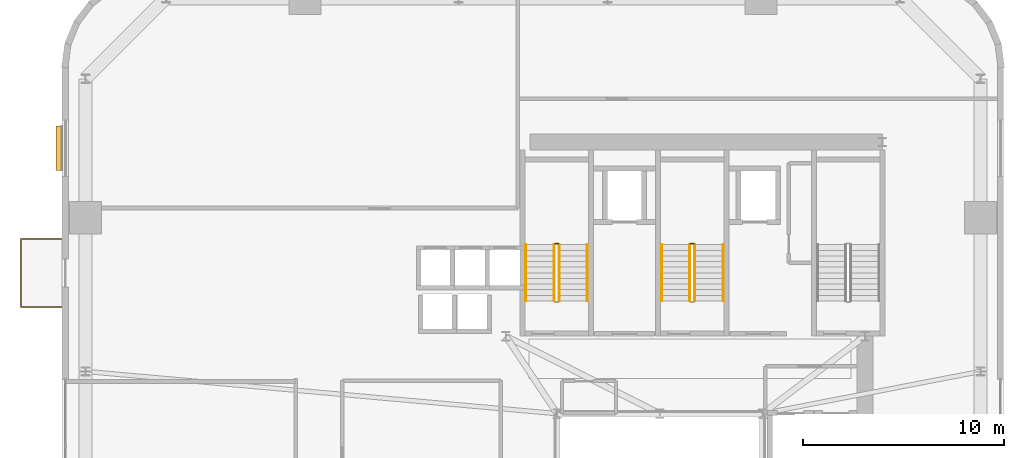
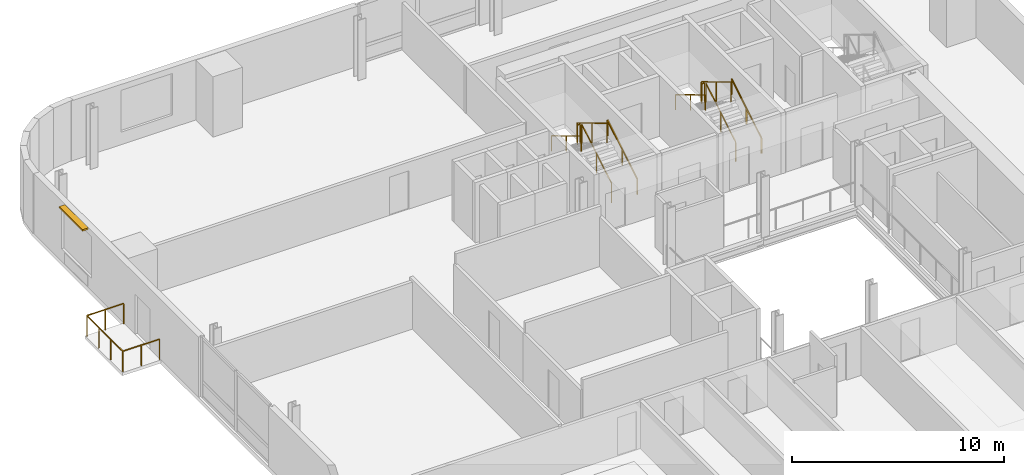
# One storey, part 13 of 14: 11 railings, 1 shading device.
"""IFC4 building model written with IfcOpenShell, lengths in metres."""

from ifc_helpers import new_model, si_unit, direction, frame, origin, origin_2d, place, context, subcontext, project, spatial, rectangle, extrude, source, transform, mapped, material, layer, layer_set, type_object, element, save


model = new_model("IFC4")

# Units and contexts
model_context = context("Model", 3, precision=1e-05, world=origin(), true_north=direction((0.0, 1.0)))
body_context = subcontext(model_context, "Body", "Model", "MODEL_VIEW")
ifc_project = project(units=[si_unit("LENGTHUNIT", "METRE"), si_unit("AREAUNIT", "SQUARE_METRE"), si_unit("VOLUMEUNIT", "CUBIC_METRE"), si_unit("PLANEANGLEUNIT", "RADIAN"), si_unit("MASSUNIT", "GRAM", prefix="KILO")], contexts=[model_context])

# Site, building, storey
site_placement = place(None, origin())
site = spatial("IfcSite", under=ifc_project, at=site_placement, CompositionType="ELEMENT")
building_placement = place(site_placement, origin())
building = spatial("IfcBuilding", under=site, at=building_placement, Name="Vardaveli Station Tower", CompositionType="ELEMENT")
storey_placement = place(building_placement, frame((0.0, 0.0, 111.300048828125)))
storey = spatial("IfcBuildingStorey", under=building, at=storey_placement, Name="L28", CompositionType="ELEMENT", Elevation=111.300048828125)

# Shading device
ifc_material_1 = material(Name="Anodised champagne aluminium sunshade", Category="aluminium")
ifc_layer = layer(ifc_material_1, 0.090087890625, Name="Anodised champagne aluminium sunshade")
ifc_layer_set = layer_set([ifc_layer], Name="Anodised champagne aluminium sunshade")
shading_device_type = type_object("IfcShadingDeviceType", Name="SHD-SUNSHADE", PredefinedType="USERDEFINED", material=ifc_layer_set)
shared_shape_1 = source(origin(), body_context, "Body", "SweptSolid", [
    extrude(rectangle(XDim=2.199951171875, YDim=0.320068359375, at=origin_2d()), origin(), (0.0, 0.0, 1.0), 0.090087890625),
])
shading_device_placement = place(storey_placement, frame((6.455078125, 39.9951171875, 3.33984375), z_axis=(0.0, 0.0, 1.0), x_axis=(0.0, 1.0, 0.0)))
element("IfcShadingDevice", 1, at=shading_device_placement, inside=storey, type_object=shading_device_type, Name="SHD-SS-L28-W", ObjectType="SUNSHADE", PredefinedType="USERDEFINED", context=body_context, shape_type="MappedRepresentation", body=[
    mapped(shared_shape_1, transform((0.0, 0.0, 0.0), scale=1.0)),
])

# Railings
ifc_material_2 = material(Name="Laminated glass and stainless steel balustrade", Category="steel")
railing_type_1 = type_object("IfcRailingType", Name="RL-BAL-1200", PredefinedType="BALUSTRADE", material=ifc_material_2)
shared_shape_2 = source(origin(), body_context, "Body", "SweptSolid", [
    extrude(rectangle(XDim=0.048095703125, YDim=0.048095703125, at=origin_2d()), frame((0.0, 0.0, 1.17578125), z_axis=(-1.0, 0.0, 0.0), x_axis=(0.0, -1.0, 0.0)), (0.0, 0.0, 1.0), 2.0),
    extrude(rectangle(XDim=0.048095703125, YDim=0.048095703125, at=origin_2d()), frame((-2.0, 0.0, 1.17578125), z_axis=(0.0, 1.0, 0.0), x_axis=(-1.0, 0.0, 0.0)), (0.0, 0.0, 1.0), 3.3798828125),
    extrude(rectangle(XDim=0.048095703125, YDim=0.048095703125, at=origin_2d()), frame((-2.0, 3.3798828125, 1.17578125), z_axis=(1.0, 0.0, 0.0), x_axis=(0.0, 1.0, 0.0)), (0.0, 0.0, 1.0), 2.0),
    extrude(rectangle(XDim=0.0419921875, YDim=0.0419921875, at=origin_2d()), origin(), (0.0, 0.0, 1.0), 1.15185546875),
    extrude(rectangle(XDim=0.0419921875, YDim=0.0419921875, at=origin_2d()), frame((-1.0, 0.0, 0.0)), (0.0, 0.0, 1.0), 1.15185546875),
    extrude(rectangle(XDim=0.0419921875, YDim=0.0419921875, at=origin_2d()), frame((-2.0, 0.0, 0.0)), (0.0, 0.0, 1.0), 1.15185546875),
    extrude(rectangle(XDim=0.0419921875, YDim=0.0419921875, at=origin_2d()), frame((-2.0, 1.126708984375, 0.0)), (0.0, 0.0, 1.0), 1.15185546875),
    extrude(rectangle(XDim=0.0419921875, YDim=0.0419921875, at=origin_2d()), frame((-2.0, 2.253173828125, 0.0)), (0.0, 0.0, 1.0), 1.15185546875),
    extrude(rectangle(XDim=0.0419921875, YDim=0.0419921875, at=origin_2d()), frame((-2.0, 3.3798828125, 0.0)), (0.0, 0.0, 1.0), 1.15185546875),
    extrude(rectangle(XDim=0.0419921875, YDim=0.0419921875, at=origin_2d()), frame((-1.0, 3.3798828125, 0.0)), (0.0, 0.0, 1.0), 1.15185546875),
    extrude(rectangle(XDim=0.0419921875, YDim=0.0419921875, at=origin_2d()), frame((0.0, 3.3798828125, 0.0)), (0.0, 0.0, 1.0), 1.15185546875),
])
railing_placement = place(storey_placement, frame((6.56005859375, 32.099609375, 0.0)))
element("IfcRailing", 2, at=railing_placement, inside=storey, type_object=railing_type_1, Name="RL-LOG-L28-03", PredefinedType="BALUSTRADE", context=body_context, shape_type="MappedRepresentation", body=[
    mapped(shared_shape_2, transform((0.0, 0.0, 0.0), scale=1.0)),
])
ifc_material_3 = material(Name="Brushed AISI 316 stainless steel", Category="steel")
railing_type_2 = type_object("IfcRailingType", Name="RL-GUARD-1150", PredefinedType="GUARDRAIL", material=ifc_material_3)
shared_shape_3 = source(origin(), body_context, "Body", "SweptSolid", [
    extrude(rectangle(XDim=0.048095703125, YDim=0.048095703125, at=origin_2d()), frame((0.0, 0.0, 1.1259765625), z_axis=(-1.0, 0.0, 0.0), x_axis=(0.0, -1.0, 0.0)), (0.0, 0.0, 1.0), 0.14990234375),
    extrude(rectangle(XDim=0.0419921875, YDim=0.0419921875, at=origin_2d()), origin(), (0.0, 0.0, 1.0), 1.101806640625),
    extrude(rectangle(XDim=0.0419921875, YDim=0.0419921875, at=origin_2d()), frame((-0.14990234375, 0.0, 0.0)), (0.0, 0.0, 1.0), 1.101806640625),
])
for number, where, name in (
    (3, (31.25, 35.25, 1.849853515625), "L28 ST-1 stair guard 2"),
    (4, (38.0, 35.25, 1.849853515625), "L28 ST-2 stair guard 2"),
):
    element("IfcRailing", number, at=place(storey_placement, frame(where)), inside=storey, type_object=railing_type_2, Name=name, PredefinedType="GUARDRAIL", context=body_context, shape_type="MappedRepresentation", body=[
        mapped(shared_shape_3, transform((0.0, 0.0, 0.0), scale=1.0)),
    ])
shared_shape_4 = source(origin(), body_context, "Body", "SweptSolid", [
    extrude(rectangle(XDim=0.048095703125, YDim=0.048095703125, at=origin_2d()), frame((0.0, 0.0, 1.1259765625), z_axis=(0.0, 0.857275202839, 0.514858452973), x_axis=(-1.0, 0.0, 0.0)), (0.0, 0.0, 1.0), 3.26611328125),
    extrude(rectangle(XDim=0.0419921875, YDim=0.0419921875, at=origin_2d()), origin(), (0.0, 0.0, 1.0), 1.101806640625),
    extrude(rectangle(XDim=0.0419921875, YDim=0.0419921875, at=origin_2d()), frame((0.0, 1.39990234375, 0.8408203125)), (0.0, 0.0, 1.0), 1.101806640625),
    extrude(rectangle(XDim=0.0419921875, YDim=0.0419921875, at=origin_2d()), frame((0.0, 2.800048828125, 1.681640625)), (0.0, 0.0, 1.0), 1.101806640625),
])
for number, where, name in (
    (5, (31.300048828125, 32.39990234375, 0.168212890625), "L28 ST-1 stair guard 1"),
    (6, (38.050048828125, 32.39990234375, 0.168212890625), "L28 ST-2 stair guard 1"),
):
    element("IfcRailing", number, at=place(storey_placement, frame(where)), inside=storey, type_object=railing_type_2, Name=name, PredefinedType="GUARDRAIL", context=body_context, shape_type="MappedRepresentation", body=[
        mapped(shared_shape_4, transform((0.0, 0.0, 0.0), scale=1.0)),
    ])
shared_shape_5 = source(origin(), body_context, "Body", "SweptSolid", [
    extrude(rectangle(XDim=0.048095703125, YDim=0.048095703125, at=origin_2d()), frame((0.0, 0.0, 1.1259765625), z_axis=(0.0, -0.857242210791, 0.514913383045), x_axis=(1.0, 0.0, 0.0)), (0.0, 0.0, 1.0), 3.266357421875),
    extrude(rectangle(XDim=0.0419921875, YDim=0.0419921875, at=origin_2d()), origin(), (0.0, 0.0, 1.0), 1.101806640625),
    extrude(rectangle(XDim=0.0419921875, YDim=0.0419921875, at=origin_2d()), frame((0.0, -1.39990234375, 0.8408203125)), (0.0, 0.0, 1.0), 1.101806640625),
    extrude(rectangle(XDim=0.0419921875, YDim=0.0419921875, at=origin_2d()), frame((0.0, -2.800048828125, 1.681884765625)), (0.0, 0.0, 1.0), 1.101806640625),
])
for number, where, name in (
    (7, (31.050048828125, 35.199951171875, 2.01806640625), "L28 ST-1 stair guard 3"),
    (8, (37.800048828125, 35.199951171875, 2.01806640625), "L28 ST-2 stair guard 3"),
):
    element("IfcRailing", number, at=place(storey_placement, frame(where)), inside=storey, type_object=railing_type_2, Name=name, PredefinedType="GUARDRAIL", context=body_context, shape_type="MappedRepresentation", body=[
        mapped(shared_shape_5, transform((0.0, 0.0, 0.0), scale=1.0)),
    ])
railing_type_3 = type_object("IfcRailingType", Name="RL-HAND-900", PredefinedType="HANDRAIL", material=ifc_material_3)
shared_shape_6 = source(origin(), body_context, "Body", "SweptSolid", [
    extrude(rectangle(XDim=0.048095703125, YDim=0.048095703125, at=origin_2d()), frame((0.0, 0.0, 0.8759765625), z_axis=(0.0, 0.857275202839, 0.514858452973), x_axis=(-1.0, 0.0, 0.0)), (0.0, 0.0, 1.0), 3.26611328125),
    extrude(rectangle(XDim=0.0419921875, YDim=0.0419921875, at=origin_2d()), origin(), (0.0, 0.0, 1.0), 0.851806640625),
    extrude(rectangle(XDim=0.0419921875, YDim=0.0419921875, at=origin_2d()), frame((0.0, 1.39990234375, 0.8408203125)), (0.0, 0.0, 1.0), 0.851806640625),
    extrude(rectangle(XDim=0.0419921875, YDim=0.0419921875, at=origin_2d()), frame((0.0, 2.800048828125, 1.681640625)), (0.0, 0.0, 1.0), 0.851806640625),
])
for number, where, name in (
    (9, (32.699951171875, 32.39990234375, 0.168212890625), "L28 ST-1 stair handrail 1"),
    (10, (39.449951171875, 32.39990234375, 0.168212890625), "L28 ST-2 stair handrail 1"),
):
    element("IfcRailing", number, at=place(storey_placement, frame(where)), inside=storey, type_object=railing_type_3, Name=name, PredefinedType="HANDRAIL", context=body_context, shape_type="MappedRepresentation", body=[
        mapped(shared_shape_6, transform((0.0, 0.0, 0.0), scale=1.0)),
    ])
shared_shape_7 = source(origin(), body_context, "Body", "SweptSolid", [
    extrude(rectangle(XDim=0.048095703125, YDim=0.048095703125, at=origin_2d()), frame((0.0, 0.0, 0.8759765625), z_axis=(0.0, -0.857242210791, 0.514913383045), x_axis=(1.0, 0.0, 0.0)), (0.0, 0.0, 1.0), 3.266357421875),
    extrude(rectangle(XDim=0.0419921875, YDim=0.0419921875, at=origin_2d()), origin(), (0.0, 0.0, 1.0), 0.851806640625),
    extrude(rectangle(XDim=0.0419921875, YDim=0.0419921875, at=origin_2d()), frame((0.0, -1.39990234375, 0.8408203125)), (0.0, 0.0, 1.0), 0.851806640625),
    extrude(rectangle(XDim=0.0419921875, YDim=0.0419921875, at=origin_2d()), frame((0.0, -2.800048828125, 1.681884765625)), (0.0, 0.0, 1.0), 0.851806640625),
])
for number, where, name in (
    (11, (29.64990234375, 35.199951171875, 2.01806640625), "L28 ST-1 stair handrail 2"),
    (12, (36.39990234375, 35.199951171875, 2.01806640625), "L28 ST-2 stair handrail 2"),
):
    element("IfcRailing", number, at=place(storey_placement, frame(where)), inside=storey, type_object=railing_type_3, Name=name, PredefinedType="HANDRAIL", context=body_context, shape_type="MappedRepresentation", body=[
        mapped(shared_shape_7, transform((0.0, 0.0, 0.0), scale=1.0)),
    ])

save(model, "model.ifc")
